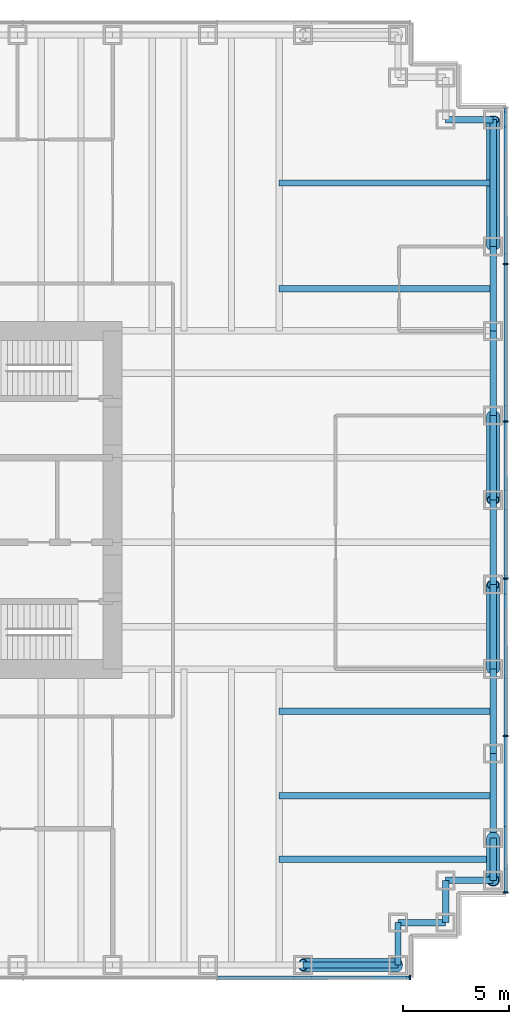
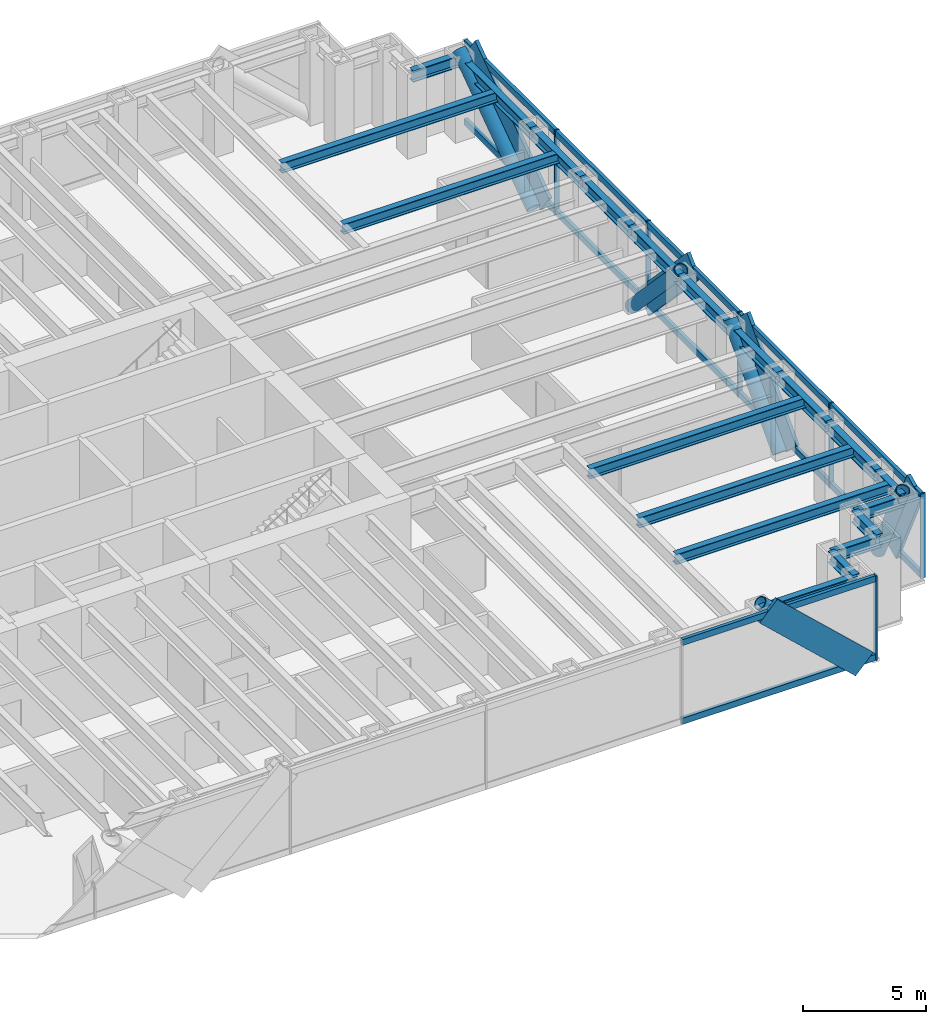
# One storey, part 8 of 15: 28 members, 20 beams, 2 elements without a shape of their own.
"""IFC4 building model written with IfcOpenShell, lengths in metres."""

from ifc_helpers import new_model, si_unit, direction, frame, origin, origin_2d, place, context, subcontext, project, spatial, rectangle, hollow_circle, i_section, extrude, material, material_profile, profile_set, type_object, element, aggregate, save


model = new_model("IFC4")

# Units and contexts
model_context = context("Model", 3, precision=1e-05, world=origin(), true_north=direction((0.0, 1.0)))
body_context = subcontext(model_context, "Body", "Model", "MODEL_VIEW")
ifc_project = project(units=[si_unit("LENGTHUNIT", "METRE"), si_unit("AREAUNIT", "SQUARE_METRE"), si_unit("VOLUMEUNIT", "CUBIC_METRE"), si_unit("PLANEANGLEUNIT", "RADIAN"), si_unit("MASSUNIT", "GRAM", prefix="KILO")], contexts=[model_context])

# Site, building, storey
site_placement = place(None, origin())
site = spatial("IfcSite", under=ifc_project, at=site_placement, CompositionType="ELEMENT")
building_placement = place(site_placement, origin())
building = spatial("IfcBuilding", under=site, at=building_placement, Name="Rheinbord Bourse Tower", CompositionType="ELEMENT")
storey_placement = place(building_placement, frame((0.0, 0.0, 155.10009765625)))
storey = spatial("IfcBuildingStorey", under=building, at=storey_placement, Name="L34", CompositionType="ELEMENT", Elevation=155.10009765625)

# Curtain wall, member
ifc_material_1 = material(Name="Dark glass and black aluminium", Category="aluminium")
curtain_wall_type = type_object("IfcCurtainWallType", Name="CW2 DARK GLASS CURTAIN WALL", PredefinedType="USERDEFINED", material=ifc_material_1)
curtain_wall_1_placement = place(storey_placement, origin())
curtain_wall_1 = element("IfcCurtainWall", 1, at=curtain_wall_1_placement, inside=storey, type_object=curtain_wall_type, Name="Curtain wall CW2 S L34", ObjectType="UNITISED CURTAIN WALL", PredefinedType="USERDEFINED")
ifc_material_2 = material(Name="Black anodised aluminium", Category="aluminium")
ifc_material_profile_1 = material_profile(ifc_material_2, rectangle(XDim=0.159912109375, YDim=1.2099609375, at=origin_2d()), Name="CW2 DIAGONAL MULLION 1210x160")
ifc_profile_set_1 = profile_set([ifc_material_profile_1], Name="Black anodised aluminium")
member_type_1 = type_object("IfcMemberType", Name="CW2 BLACK DIAGONAL MULLION", PredefinedType="USERDEFINED", material=ifc_profile_set_1)
member_1_placement = place(storey_placement, frame((67.5, 1.39990234375, 0.0), z_axis=(-0.73105922506, 0.0, 0.682314010889), x_axis=(0.0, -1.0, 0.0)))
member_1 = element("IfcMember", 2, at=member_1_placement, type_object=member_type_1, Name="CW2 diagonal mullion c", ObjectType="DIAGONAL MULLION", PredefinedType="USERDEFINED", context=body_context, shape_type="SweptSolid", body=[
    extrude(rectangle(XDim=0.159912109375, YDim=1.2099609375, at=origin_2d()), origin(), (0.0, 0.0, 1.0), 6.155517578125),
])

# Curtain wall, members
curtain_wall_2_placement = place(storey_placement, origin())
curtain_wall_2 = element("IfcCurtainWall", 3, at=curtain_wall_2_placement, inside=storey, type_object=curtain_wall_type, Name="Curtain wall CW2 E L34", ObjectType="UNITISED CURTAIN WALL", PredefinedType="USERDEFINED")
member_2_placement = place(storey_placement, frame((72.60009765625, 8.0, 0.0), z_axis=(0.0, -0.429937654825, 0.902858578607), x_axis=(1.0, 0.0, 0.0)))
member_2 = element("IfcMember", 4, at=member_2_placement, type_object=member_type_1, Name="CW2 diagonal mullion a", ObjectType="DIAGONAL MULLION", PredefinedType="USERDEFINED", context=body_context, shape_type="SweptSolid", body=[
    extrude(rectangle(XDim=0.159912109375, YDim=1.2099609375, at=origin_2d()), origin(), (0.0, 0.0, 1.0), 4.65185546875),
])
member_3_placement = place(storey_placement, frame((72.60009765625, 36.0, 0.0), z_axis=(0.0, 0.819235052632, 0.57345786989), x_axis=(-1.0, 0.0, 0.0)))
member_3 = element("IfcMember", 5, at=member_3_placement, type_object=member_type_1, Name="CW2 diagonal mullion b", ObjectType="DIAGONAL MULLION", PredefinedType="USERDEFINED", context=body_context, shape_type="SweptSolid", body=[
    extrude(rectangle(XDim=0.159912109375, YDim=1.2099609375, at=origin_2d()), origin(), (0.0, 0.0, 1.0), 7.323974609375),
])
member_4_placement = place(storey_placement, frame((72.60009765625, 16.0, 0.0), z_axis=(0.0, 0.689659376744, 0.724133926887), x_axis=(-1.0, 0.0, 0.0)))
member_4 = element("IfcMember", 6, at=member_4_placement, type_object=member_type_1, Name="CW2 diagonal mullion c", ObjectType="DIAGONAL MULLION", PredefinedType="USERDEFINED", context=body_context, shape_type="SweptSolid", body=[
    extrude(rectangle(XDim=0.159912109375, YDim=1.2099609375, at=origin_2d()), origin(), (0.0, 0.0, 1.0), 5.800048828125),
])
member_5_placement = place(storey_placement, frame((72.60009765625, 28.0, 0.0), z_axis=(0.0, -0.689659376744, 0.724133926887), x_axis=(1.0, 0.0, 0.0)))
member_5 = element("IfcMember", 7, at=member_5_placement, type_object=member_type_1, Name="CW2 diagonal mullion d", ObjectType="DIAGONAL MULLION", PredefinedType="USERDEFINED", context=body_context, shape_type="SweptSolid", body=[
    extrude(rectangle(XDim=0.159912109375, YDim=1.2099609375, at=origin_2d()), origin(), (0.0, 0.0, 1.0), 5.800048828125),
])

# Member
ifc_material_3 = material(Name="Black anodised aluminium", Category="aluminium")
ifc_material_profile_2 = material_profile(ifc_material_3, rectangle(XDim=0.219970703125, YDim=0.070068359375, at=origin_2d()), Name="CW2 MULLION 70x220")
ifc_profile_set_2 = profile_set([ifc_material_profile_2], Name="Black anodised aluminium")
member_type_2 = type_object("IfcMemberType", Name="CW2 BLACK MULLION", PredefinedType="MULLION", material=ifc_profile_set_2)
member_6_placement = place(storey_placement, frame((68.06494140625, 1.39990234375, 0.0), z_axis=(0.0, 0.0, 1.0), x_axis=(0.0, 1.0, 0.0)))
member_6 = element("IfcMember", 8, at=member_6_placement, type_object=member_type_2, Name="CW2 mullion 8", PredefinedType="MULLION", context=body_context, shape_type="SweptSolid", body=[
    extrude(rectangle(XDim=0.219970703125, YDim=0.070068359375, at=origin_2d()), origin(), (0.0, 0.0, 1.0), 4.199951171875),
])

member_7_placement = place(storey_placement, frame((72.60009765625, 5.43505859375, 0.0), z_axis=(0.0, 0.0, 1.0), x_axis=(-1.0, 0.0, 0.0)))
member_7 = element("IfcMember", 9, at=member_7_placement, type_object=member_type_2, Name="CW2 mullion 1", PredefinedType="MULLION", context=body_context, shape_type="SweptSolid", body=[
    extrude(rectangle(XDim=0.219970703125, YDim=0.070068359375, at=origin_2d()), origin(), (0.0, 0.0, 1.0), 4.199951171875),
])

member_8_placement = place(storey_placement, frame((72.60009765625, 12.840087890625, 0.0), z_axis=(0.0, 0.0, 1.0), x_axis=(-1.0, 0.0, 0.0)))
member_8 = element("IfcMember", 10, at=member_8_placement, type_object=member_type_2, Name="CW2 mullion 2", PredefinedType="MULLION", context=body_context, shape_type="SweptSolid", body=[
    extrude(rectangle(XDim=0.219970703125, YDim=0.070068359375, at=origin_2d()), origin(), (0.0, 0.0, 1.0), 4.199951171875),
])

member_9_placement = place(storey_placement, frame((72.60009765625, 20.280029296875, 0.0), z_axis=(0.0, 0.0, 1.0), x_axis=(-1.0, 0.0, 0.0)))
member_9 = element("IfcMember", 11, at=member_9_placement, type_object=member_type_2, Name="CW2 mullion 3", PredefinedType="MULLION", context=body_context, shape_type="SweptSolid", body=[
    extrude(rectangle(XDim=0.219970703125, YDim=0.070068359375, at=origin_2d()), origin(), (0.0, 0.0, 1.0), 4.199951171875),
])

member_10_placement = place(storey_placement, frame((72.60009765625, 27.719970703125, 0.0), z_axis=(0.0, 0.0, 1.0), x_axis=(-1.0, 0.0, 0.0)))
member_10 = element("IfcMember", 12, at=member_10_placement, type_object=member_type_2, Name="CW2 mullion 4", PredefinedType="MULLION", context=body_context, shape_type="SweptSolid", body=[
    extrude(rectangle(XDim=0.219970703125, YDim=0.070068359375, at=origin_2d()), origin(), (0.0, 0.0, 1.0), 4.199951171875),
])

member_11_placement = place(storey_placement, frame((72.60009765625, 35.159912109375, 0.0), z_axis=(0.0, 0.0, 1.0), x_axis=(-1.0, 0.0, 0.0)))
member_11 = element("IfcMember", 13, at=member_11_placement, type_object=member_type_2, Name="CW2 mullion 5", PredefinedType="MULLION", context=body_context, shape_type="SweptSolid", body=[
    extrude(rectangle(XDim=0.219970703125, YDim=0.070068359375, at=origin_2d()), origin(), (0.0, 0.0, 1.0), 4.199951171875),
])

ifc_material_4 = material(Name="Black anodised aluminium", Category="aluminium")
ifc_material_profile_3 = material_profile(ifc_material_4, rectangle(XDim=0.159912109375, YDim=0.300048828125, at=origin_2d()), Name="CW2 TRANSOM 300x160")
ifc_profile_set_3 = profile_set([ifc_material_profile_3], Name="Black anodised aluminium")
member_type_3 = type_object("IfcMemberType", Name="CW2 BLACK TRANSOM", PredefinedType="USERDEFINED", material=ifc_profile_set_3)
member_12_placement = place(storey_placement, frame((58.963623046875, 1.39990234375, 0.14990234375), z_axis=(1.0, 0.0, 0.0), x_axis=(0.0, 1.0, 0.0)))
member_12 = element("IfcMember", 14, at=member_12_placement, type_object=member_type_3, Name="CW2 transom 7.1", ObjectType="TRANSOM", PredefinedType="USERDEFINED", context=body_context, shape_type="SweptSolid", body=[
    extrude(rectangle(XDim=0.159912109375, YDim=0.300048828125, at=origin_2d()), origin(), (0.0, 0.0, 1.0), 9.06640625),
])

member_13_placement = place(storey_placement, frame((58.963623046875, 1.39990234375, 4.0498046875), z_axis=(1.0, 0.0, 0.0), x_axis=(0.0, 1.0, 0.0)))
member_13 = element("IfcMember", 15, at=member_13_placement, type_object=member_type_3, Name="CW2 transom 7.2", ObjectType="TRANSOM", PredefinedType="USERDEFINED", context=body_context, shape_type="SweptSolid", body=[
    extrude(rectangle(XDim=0.159912109375, YDim=0.300048828125, at=origin_2d()), origin(), (0.0, 0.0, 1.0), 9.06640625),
])

aggregate(curtain_wall_1, [member_6, member_12, member_13, member_1])

member_14_placement = place(storey_placement, frame((72.60009765625, 5.469970703125, 0.14990234375), z_axis=(0.0, 1.0, 0.0), x_axis=(-1.0, 0.0, 0.0)))
member_14 = element("IfcMember", 16, at=member_14_placement, type_object=member_type_3, Name="CW2 transom 1.1", ObjectType="TRANSOM", PredefinedType="USERDEFINED", context=body_context, shape_type="SweptSolid", body=[
    extrude(rectangle(XDim=0.159912109375, YDim=0.300048828125, at=origin_2d()), origin(), (0.0, 0.0, 1.0), 7.3349609375),
])

member_15_placement = place(storey_placement, frame((72.60009765625, 5.469970703125, 4.0498046875), z_axis=(0.0, 1.0, 0.0), x_axis=(-1.0, 0.0, 0.0)))
member_15 = element("IfcMember", 17, at=member_15_placement, type_object=member_type_3, Name="CW2 transom 1.2", ObjectType="TRANSOM", PredefinedType="USERDEFINED", context=body_context, shape_type="SweptSolid", body=[
    extrude(rectangle(XDim=0.159912109375, YDim=0.300048828125, at=origin_2d()), origin(), (0.0, 0.0, 1.0), 7.3349609375),
])

member_16_placement = place(storey_placement, frame((72.60009765625, 12.875, 0.14990234375), z_axis=(0.0, 1.0, 0.0), x_axis=(-1.0, 0.0, 0.0)))
member_16 = element("IfcMember", 18, at=member_16_placement, type_object=member_type_3, Name="CW2 transom 2.1", ObjectType="TRANSOM", PredefinedType="USERDEFINED", context=body_context, shape_type="SweptSolid", body=[
    extrude(rectangle(XDim=0.159912109375, YDim=0.300048828125, at=origin_2d()), origin(), (0.0, 0.0, 1.0), 7.3701171875),
])

member_17_placement = place(storey_placement, frame((72.60009765625, 12.875, 4.0498046875), z_axis=(0.0, 1.0, 0.0), x_axis=(-1.0, 0.0, 0.0)))
member_17 = element("IfcMember", 19, at=member_17_placement, type_object=member_type_3, Name="CW2 transom 2.2", ObjectType="TRANSOM", PredefinedType="USERDEFINED", context=body_context, shape_type="SweptSolid", body=[
    extrude(rectangle(XDim=0.159912109375, YDim=0.300048828125, at=origin_2d()), origin(), (0.0, 0.0, 1.0), 7.3701171875),
])

member_18_placement = place(storey_placement, frame((72.60009765625, 20.31494140625, 0.14990234375), z_axis=(0.0, 1.0, 0.0), x_axis=(-1.0, 0.0, 0.0)))
member_18 = element("IfcMember", 20, at=member_18_placement, type_object=member_type_3, Name="CW2 transom 3.1", ObjectType="TRANSOM", PredefinedType="USERDEFINED", context=body_context, shape_type="SweptSolid", body=[
    extrude(rectangle(XDim=0.159912109375, YDim=0.300048828125, at=origin_2d()), origin(), (0.0, 0.0, 1.0), 7.3701171875),
])

member_19_placement = place(storey_placement, frame((72.60009765625, 20.31494140625, 4.0498046875), z_axis=(0.0, 1.0, 0.0), x_axis=(-1.0, 0.0, 0.0)))
member_19 = element("IfcMember", 21, at=member_19_placement, type_object=member_type_3, Name="CW2 transom 3.2", ObjectType="TRANSOM", PredefinedType="USERDEFINED", context=body_context, shape_type="SweptSolid", body=[
    extrude(rectangle(XDim=0.159912109375, YDim=0.300048828125, at=origin_2d()), origin(), (0.0, 0.0, 1.0), 7.3701171875),
])

member_20_placement = place(storey_placement, frame((72.60009765625, 27.7548828125, 0.14990234375), z_axis=(0.0, 1.0, 0.0), x_axis=(-1.0, 0.0, 0.0)))
member_20 = element("IfcMember", 22, at=member_20_placement, type_object=member_type_3, Name="CW2 transom 4.1", ObjectType="TRANSOM", PredefinedType="USERDEFINED", context=body_context, shape_type="SweptSolid", body=[
    extrude(rectangle(XDim=0.159912109375, YDim=0.300048828125, at=origin_2d()), origin(), (0.0, 0.0, 1.0), 7.3701171875),
])

member_21_placement = place(storey_placement, frame((72.60009765625, 27.7548828125, 4.0498046875), z_axis=(0.0, 1.0, 0.0), x_axis=(-1.0, 0.0, 0.0)))
member_21 = element("IfcMember", 23, at=member_21_placement, type_object=member_type_3, Name="CW2 transom 4.2", ObjectType="TRANSOM", PredefinedType="USERDEFINED", context=body_context, shape_type="SweptSolid", body=[
    extrude(rectangle(XDim=0.159912109375, YDim=0.300048828125, at=origin_2d()), origin(), (0.0, 0.0, 1.0), 7.3701171875),
])

member_22_placement = place(storey_placement, frame((72.60009765625, 35.195068359375, 0.14990234375), z_axis=(0.0, 1.0, 0.0), x_axis=(-1.0, 0.0, 0.0)))
member_22 = element("IfcMember", 24, at=member_22_placement, type_object=member_type_3, Name="CW2 transom 5.1", ObjectType="TRANSOM", PredefinedType="USERDEFINED", context=body_context, shape_type="SweptSolid", body=[
    extrude(rectangle(XDim=0.159912109375, YDim=0.300048828125, at=origin_2d()), origin(), (0.0, 0.0, 1.0), 7.3349609375),
])

member_23_placement = place(storey_placement, frame((72.60009765625, 35.195068359375, 4.0498046875), z_axis=(0.0, 1.0, 0.0), x_axis=(-1.0, 0.0, 0.0)))
member_23 = element("IfcMember", 25, at=member_23_placement, type_object=member_type_3, Name="CW2 transom 5.2", ObjectType="TRANSOM", PredefinedType="USERDEFINED", context=body_context, shape_type="SweptSolid", body=[
    extrude(rectangle(XDim=0.159912109375, YDim=0.300048828125, at=origin_2d()), origin(), (0.0, 0.0, 1.0), 7.3349609375),
])

aggregate(curtain_wall_2, [member_7, member_8, member_9, member_10, member_11, member_14, member_15, member_16, member_17, member_18, member_19, member_20, member_21, member_22, member_23, member_2, member_3, member_4, member_5])

# Members
ifc_material_5 = material(Name="Steel S460", Category="steel")
ifc_material_profile_4 = material_profile(ifc_material_5, hollow_circle(Radius=0.304931640625, WallThickness=0.0400390625, at=origin_2d()), Name="CHS 610x40")
ifc_profile_set_4 = profile_set([ifc_material_profile_4], Name="Steel S460")
member_type_4 = type_object("IfcMemberType", Name="MEGABRACE CHS 610x40", PredefinedType="BRACE", material=ifc_profile_set_4)
member_24_placement = place(storey_placement, frame((67.5, 2.0, 0.0), z_axis=(-0.73105922506, 0.0, 0.682314010889), x_axis=(0.0, -1.0, 0.0)))
element("IfcMember", 26, at=member_24_placement, inside=storey, type_object=member_type_4, Name="Megabrace S face line c L34", PredefinedType="BRACE", context=body_context, shape_type="SweptSolid", body=[
    extrude(hollow_circle(Radius=0.304931640625, WallThickness=0.0400390625, at=origin_2d()), origin(), (0.0, 0.0, 1.0), 6.155517578125),
])
member_25_placement = place(storey_placement, frame((72.0, 8.0, 0.0), z_axis=(0.0, -0.429937654825, 0.902858578607), x_axis=(1.0, 0.0, 0.0)))
element("IfcMember", 27, at=member_25_placement, inside=storey, type_object=member_type_4, Name="Megabrace E face line a L34", PredefinedType="BRACE", context=body_context, shape_type="SweptSolid", body=[
    extrude(hollow_circle(Radius=0.304931640625, WallThickness=0.0400390625, at=origin_2d()), origin(), (0.0, 0.0, 1.0), 4.65185546875),
])
member_26_placement = place(storey_placement, frame((72.0, 36.0, 0.0), z_axis=(0.0, 0.819235052632, 0.57345786989), x_axis=(-1.0, 0.0, 0.0)))
element("IfcMember", 28, at=member_26_placement, inside=storey, type_object=member_type_4, Name="Megabrace E face line b L34", PredefinedType="BRACE", context=body_context, shape_type="SweptSolid", body=[
    extrude(hollow_circle(Radius=0.304931640625, WallThickness=0.0400390625, at=origin_2d()), origin(), (0.0, 0.0, 1.0), 7.323974609375),
])
for number, where, z_axis, x_axis, name in (
    (29, (72.0, 16.0, 0.0), (0.0, 0.689659376744, 0.724133926887), (-1.0, 0.0, 0.0), "Megabrace E face line c L34"),
    (30, (72.0, 28.0, 0.0), (0.0, -0.689659376744, 0.724133926887), (1.0, 0.0, 0.0), "Megabrace E face line d L34"),
):
    element("IfcMember", number, at=place(storey_placement, frame(where, z_axis=z_axis, x_axis=x_axis)), inside=storey, type_object=member_type_4, Name=name, PredefinedType="BRACE", context=body_context, shape_type="SweptSolid", body=[
        extrude(hollow_circle(Radius=0.304931640625, WallThickness=0.0400390625, at=origin_2d()), origin(), (0.0, 0.0, 1.0), 5.800048828125),
    ])

# Beams
ifc_material_6 = material(Name="Steel S460", Category="steel")
ifc_material_profile_5 = material_profile(ifc_material_6, i_section(OverallWidth=0.305908203125, OverallDepth=0.572021484375, WebThickness=0.02099609375, FlangeThickness=0.0400390625, at=origin_2d()), Name="HEM 550")
ifc_profile_set_5 = profile_set([ifc_material_profile_5], Name="Steel S460")
beam_type_1 = type_object("IfcBeamType", Name="SPANDREL HEM 550", PredefinedType="SPANDREL", material=ifc_profile_set_5)
beam_1_placement = place(storey_placement, frame((63.0, 2.0, 3.75390625), z_axis=(1.0, 0.0, 0.0), x_axis=(0.0, 1.0, 0.0)))
element("IfcBeam", 31, at=beam_1_placement, inside=storey, type_object=beam_type_1, Name="Spandrel S-63-SE-E under L35", PredefinedType="SPANDREL", context=body_context, shape_type="SweptSolid", body=[
    extrude(i_section(OverallWidth=0.305908203125, OverallDepth=0.572021484375, WebThickness=0.02099609375, FlangeThickness=0.0400390625, at=origin_2d()), origin(), (0.0, 0.0, 1.0), 4.5),
])
beam_2_placement = place(storey_placement, frame((67.5, 2.0, 3.75390625), z_axis=(0.0, 1.0, 0.0), x_axis=(-1.0, 0.0, 0.0)))
element("IfcBeam", 32, at=beam_2_placement, inside=storey, type_object=beam_type_1, Name="Spandrel SE-E-SE-D under L35", PredefinedType="SPANDREL", context=body_context, shape_type="SweptSolid", body=[
    extrude(i_section(OverallWidth=0.305908203125, OverallDepth=0.572021484375, WebThickness=0.02099609375, FlangeThickness=0.0400390625, at=origin_2d()), origin(), (0.0, 0.0, 1.0), 2.0),
])
beam_3_placement = place(storey_placement, frame((67.5, 4.0, 3.75390625), z_axis=(1.0, 0.0, 0.0), x_axis=(0.0, 1.0, 0.0)))
element("IfcBeam", 33, at=beam_3_placement, inside=storey, type_object=beam_type_1, Name="Spandrel SE-D-SE-C under L35", PredefinedType="SPANDREL", context=body_context, shape_type="SweptSolid", body=[
    extrude(i_section(OverallWidth=0.305908203125, OverallDepth=0.572021484375, WebThickness=0.02099609375, FlangeThickness=0.0400390625, at=origin_2d()), origin(), (0.0, 0.0, 1.0), 2.25),
])
beam_4_placement = place(storey_placement, frame((69.75, 4.0, 3.75390625), z_axis=(0.0, 1.0, 0.0), x_axis=(-1.0, 0.0, 0.0)))
element("IfcBeam", 34, at=beam_4_placement, inside=storey, type_object=beam_type_1, Name="Spandrel SE-C-SE-B under L35", PredefinedType="SPANDREL", context=body_context, shape_type="SweptSolid", body=[
    extrude(i_section(OverallWidth=0.305908203125, OverallDepth=0.572021484375, WebThickness=0.02099609375, FlangeThickness=0.0400390625, at=origin_2d()), origin(), (0.0, 0.0, 1.0), 2.0),
])
beam_5_placement = place(storey_placement, frame((69.75, 6.0, 3.75390625), z_axis=(1.0, 0.0, 0.0), x_axis=(0.0, 1.0, 0.0)))
element("IfcBeam", 35, at=beam_5_placement, inside=storey, type_object=beam_type_1, Name="Spandrel SE-B-SE-A under L35", PredefinedType="SPANDREL", context=body_context, shape_type="SweptSolid", body=[
    extrude(i_section(OverallWidth=0.305908203125, OverallDepth=0.572021484375, WebThickness=0.02099609375, FlangeThickness=0.0400390625, at=origin_2d()), origin(), (0.0, 0.0, 1.0), 2.25),
])
beam_6_placement = place(storey_placement, frame((72.0, 6.0, 3.75390625), z_axis=(0.0, 1.0, 0.0), x_axis=(-1.0, 0.0, 0.0)))
element("IfcBeam", 36, at=beam_6_placement, inside=storey, type_object=beam_type_1, Name="Spandrel SE-A-E-8 under L35", PredefinedType="SPANDREL", context=body_context, shape_type="SweptSolid", body=[
    extrude(i_section(OverallWidth=0.305908203125, OverallDepth=0.572021484375, WebThickness=0.02099609375, FlangeThickness=0.0400390625, at=origin_2d()), origin(), (0.0, 0.0, 1.0), 2.0),
])
for number, where, z_axis, x_axis, name in (
    (37, (72.0, 8.0, 3.75390625), (0.0, 1.0, 0.0), (-1.0, 0.0, 0.0), "Spandrel E-8-E-12 under L35"),
    (38, (72.0, 12.0, 3.75390625), (0.0, 1.0, 0.0), (-1.0, 0.0, 0.0), "Spandrel E-12-E-16 under L35"),
    (39, (72.0, 16.0, 3.75390625), (0.0, 1.0, 0.0), (-1.0, 0.0, 0.0), "Spandrel E-16-E-20 under L35"),
    (40, (72.0, 20.0, 3.75390625), (0.0, 1.0, 0.0), (-1.0, 0.0, 0.0), "Spandrel E-20-E-24 under L35"),
    (41, (72.0, 24.0, 3.75390625), (0.0, 1.0, 0.0), (-1.0, 0.0, 0.0), "Spandrel E-24-E-28 under L35"),
    (42, (72.0, 28.0, 3.75390625), (0.0, 1.0, 0.0), (-1.0, 0.0, 0.0), "Spandrel E-28-E-32 under L35"),
    (43, (72.0, 32.0, 3.75390625), (0.0, 1.0, 0.0), (-1.0, 0.0, 0.0), "Spandrel E-32-E-36 under L35"),
):
    element("IfcBeam", number, at=place(storey_placement, frame(where, z_axis=z_axis, x_axis=x_axis)), inside=storey, type_object=beam_type_1, Name=name, PredefinedType="SPANDREL", context=body_context, shape_type="SweptSolid", body=[
        extrude(i_section(OverallWidth=0.305908203125, OverallDepth=0.572021484375, WebThickness=0.02099609375, FlangeThickness=0.0400390625, at=origin_2d()), origin(), (0.0, 0.0, 1.0), 4.0),
    ])
beam_7_placement = place(storey_placement, frame((72.0, 36.0, 3.75390625), z_axis=(0.0, 1.0, 0.0), x_axis=(-1.0, 0.0, 0.0)))
element("IfcBeam", 44, at=beam_7_placement, inside=storey, type_object=beam_type_1, Name="Spandrel E-36-NE-A under L35", PredefinedType="SPANDREL", context=body_context, shape_type="SweptSolid", body=[
    extrude(i_section(OverallWidth=0.305908203125, OverallDepth=0.572021484375, WebThickness=0.02099609375, FlangeThickness=0.0400390625, at=origin_2d()), origin(), (0.0, 0.0, 1.0), 6.0),
])
beam_8_placement = place(storey_placement, frame((72.0, 42.0, 3.75390625), z_axis=(-1.0, 0.0, 0.0), x_axis=(0.0, -1.0, 0.0)))
element("IfcBeam", 45, at=beam_8_placement, inside=storey, type_object=beam_type_1, Name="Spandrel NE-A-NE-B under L35", PredefinedType="SPANDREL", context=body_context, shape_type="SweptSolid", body=[
    extrude(i_section(OverallWidth=0.305908203125, OverallDepth=0.572021484375, WebThickness=0.02099609375, FlangeThickness=0.0400390625, at=origin_2d()), origin(), (0.0, 0.0, 1.0), 2.25),
])
ifc_material_7 = material(Name="Steel S460", Category="steel")
ifc_material_profile_6 = material_profile(ifc_material_7, i_section(OverallWidth=0.300048828125, OverallDepth=0.5, WebThickness=0.014404296875, FlangeThickness=0.028076171875, at=origin_2d()), Name="HEB 500")
ifc_profile_set_6 = profile_set([ifc_material_profile_6], Name="Steel S460")
beam_type_2 = type_object("IfcBeamType", Name="TIE BEAM HEB 500", PredefinedType="JOIST", material=ifc_profile_set_6)
for number, where, z_axis, x_axis, name in (
    (46, (61.875, 7.0, 3.789794921875), (1.0, 0.0, 0.0), (0.0, 1.0, 0.0), "Tie east 7 L35"),
    (47, (61.875, 10.0, 3.789794921875), (1.0, 0.0, 0.0), (0.0, 1.0, 0.0), "Tie east 10 L35"),
    (48, (61.875, 14.0, 3.789794921875), (1.0, 0.0, 0.0), (0.0, 1.0, 0.0), "Tie east 14 L35"),
    (49, (61.875, 34.0, 3.789794921875), (1.0, 0.0, 0.0), (0.0, 1.0, 0.0), "Tie east 34 L35"),
    (50, (61.875, 39.0, 3.789794921875), (1.0, 0.0, 0.0), (0.0, 1.0, 0.0), "Tie east 39 L35"),
):
    element("IfcBeam", number, at=place(storey_placement, frame(where, z_axis=z_axis, x_axis=x_axis)), inside=storey, type_object=beam_type_2, Name=name, PredefinedType="JOIST", context=body_context, shape_type="SweptSolid", body=[
        extrude(i_section(OverallWidth=0.300048828125, OverallDepth=0.5, WebThickness=0.014404296875, FlangeThickness=0.028076171875, at=origin_2d()), origin(), (0.0, 0.0, 1.0), 10.125),
    ])

save(model, "model.ifc")
